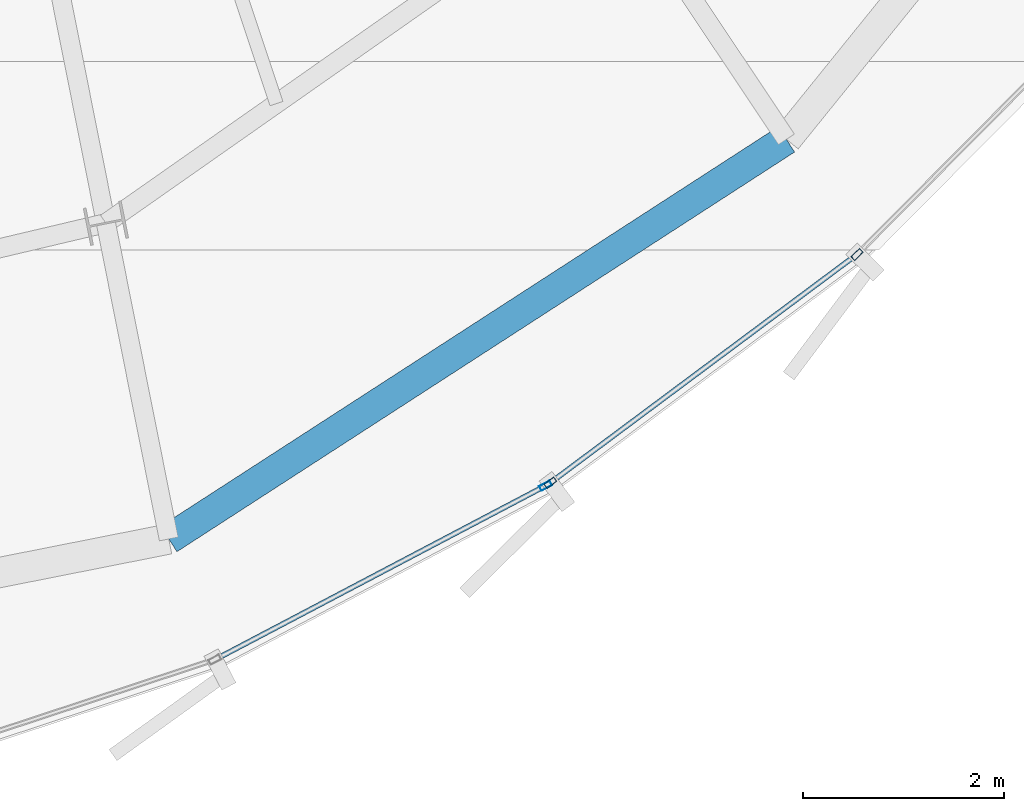
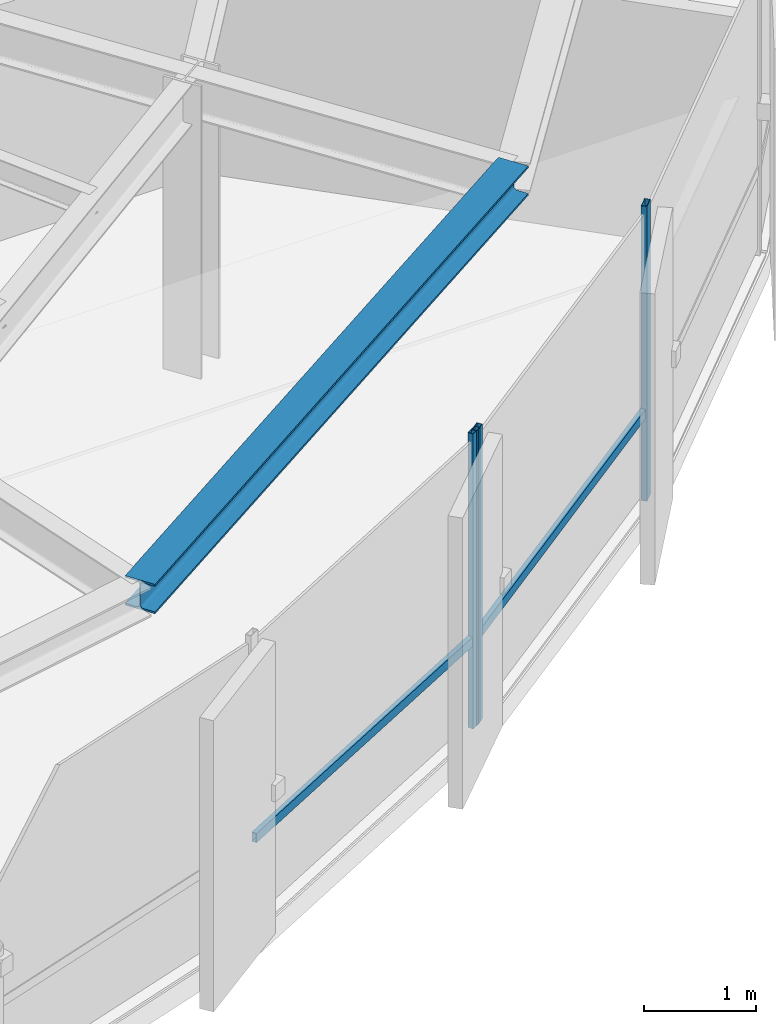
# One storey, part 7 of 33: 5 members, 1 beam, 2 elements without a shape of their own.
"""IFC4 building model written with IfcOpenShell, lengths in metres."""

import ifcopenshell
import ifcopenshell.guid

model = None  # the IFC model being written
_history = None  # IfcOwnerHistory: only IFC2X3 demands one
_inside = {}  # id of a spatial element -> (the spatial element, [elements in it])
_under = {}  # id of a project, library or spatial element -> (it, [spatial elements below it])
_declared = {}  # id of a project -> (the project, [libraries it declares])
_typed = {}  # id of a type object -> (the type object, [elements of that type])
_made_of = {}  # id of a material, layer set ... -> (it, [elements and type objects made of it])


def new_model(schema):
    """Start an empty IFC model of exactly this schema.

    Asked for "IFC4X3", IfcOpenShell would pick the latest addendum, in which some entities
    have other attributes; the version numbers below select the first issue.
    IFC2X3 requires an IfcOwnerHistory on every rooted entity: one is made here for all.
    """
    global model, _history
    if schema == "IFC4X3":
        model = ifcopenshell.file(schema_version=(4, 3, 0, 0))
    else:
        model = ifcopenshell.file(schema=schema)
    _inside.clear()
    _under.clear()
    _declared.clear()
    _typed.clear()
    _made_of.clear()
    _history = None
    if model.schema == "IFC2X3":
        org = make("IfcOrganization", Name="unknown")
        user = make(
            "IfcPersonAndOrganization",
            ThePerson=make("IfcPerson", FamilyName="unknown"),
            TheOrganization=org,
        )
        app = make(
            "IfcApplication",
            ApplicationDeveloper=org,
            Version="unknown",
            ApplicationFullName="unknown",
            ApplicationIdentifier="unknown",
        )
        _history = make(
            "IfcOwnerHistory",
            OwningUser=user,
            OwningApplication=app,
            ChangeAction="ADDED",
            CreationDate=0,
        )
    return model


def make(cls, **values):
    """One entity of the class cls with the attributes given. An attribute that is None is left unset."""
    return model.create_entity(
        cls, **{name: value for name, value in values.items() if value is not None}
    )


def rooted(cls, **values):
    """An entity with a GlobalId (a new one), such as an element, a storey or a relation."""
    return make(cls, GlobalId=ifcopenshell.guid.new(), OwnerHistory=_history, **values)


def si_unit(unit_type, name, prefix=None):
    """IfcSIUnit, for example si_unit("LENGTHUNIT", "METRE", prefix="MILLI")."""
    return make("IfcSIUnit", UnitType=unit_type, Prefix=prefix, Name=name)


def assignment(units):
    """IfcUnitAssignment: the units of a project."""
    return None if units is None else make("IfcUnitAssignment", Units=units)


def point(xyz):
    """IfcCartesianPoint."""
    return None if xyz is None else make("IfcCartesianPoint", Coordinates=xyz)


def direction(xyz):
    """IfcDirection."""
    return None if xyz is None else make("IfcDirection", DirectionRatios=xyz)


def frame(location, z_axis=None, x_axis=None):
    """IfcAxis2Placement3D, a coordinate frame: its origin and axes. An axis left out is left unset."""
    return make(
        "IfcAxis2Placement3D",
        Location=point(location),
        Axis=direction(z_axis),
        RefDirection=direction(x_axis),
    )


def frame_2d(location, x_axis=None):
    """IfcAxis2Placement2D, a coordinate frame in the plane: its origin and x axis."""
    return make(
        "IfcAxis2Placement2D", Location=point(location), RefDirection=direction(x_axis)
    )


def origin():
    """The frame at (0, 0, 0) with its axes left unset."""
    return frame((0.0, 0.0, 0.0))


def origin_2d():
    """The frame at (0, 0) in the plane with its x axis left unset."""
    return frame_2d((0.0, 0.0))


def place(relative_to, where):
    """IfcLocalPlacement: puts the frame where relative to a parent placement (None: the world)."""
    return make(
        "IfcLocalPlacement", PlacementRelTo=relative_to, RelativePlacement=where
    )


def context(
    kind, dimensions, precision=None, world=None, true_north=None, identifier=None
):
    """IfcGeometricRepresentationContext, for example the 3D "Model" context."""
    return make(
        "IfcGeometricRepresentationContext",
        ContextIdentifier=identifier,
        ContextType=kind,
        CoordinateSpaceDimension=dimensions,
        Precision=precision,
        WorldCoordinateSystem=world,
        TrueNorth=true_north,
    )


def subcontext(parent, identifier, kind, view, scale=None):
    """IfcGeometricRepresentationSubContext, for example "Body" below "Model"."""
    return make(
        "IfcGeometricRepresentationSubContext",
        ContextIdentifier=identifier,
        ContextType=kind,
        ParentContext=parent,
        TargetScale=scale,
        TargetView=view,
    )


def project(units=None, contexts=None):
    """IfcProject with its units and contexts."""
    return rooted(
        "IfcProject",
        Name="project",
        RepresentationContexts=contexts,
        UnitsInContext=assignment(units),
    )


def spatial(cls, under=None, at=None, **own):
    """A site, building, storey or space (cls), placed at a placement, below another one or the project."""
    s = rooted(cls, ObjectPlacement=at, **own)
    if under is not None:
        _under.setdefault(under.id(), (under, []))[1].append(s)
    return s


def profile(cls, at=None, kind="AREA", **sizes):
    """A parametric profile (cls). Its sizes go by their IFC names, for example OverallWidth=200.0."""
    return make(cls, ProfileType=kind, Position=at, **sizes)


def hollow_rectangle(**sizes):
    """IfcRectangleHollowProfileDef."""
    return profile("IfcRectangleHollowProfileDef", **sizes)


def i_section(**sizes):
    """IfcIShapeProfileDef."""
    return profile("IfcIShapeProfileDef", **sizes)


def extrude(swept, where, along, depth):
    """IfcExtrudedAreaSolid: the profile swept, set in the frame where, extruded along a direction by depth."""
    return make(
        "IfcExtrudedAreaSolid",
        SweptArea=swept,
        Position=where,
        ExtrudedDirection=direction(along),
        Depth=depth,
    )


def shape(context_of_items, identifier, shape_type, items):
    """IfcShapeRepresentation: the items that make up one representation, for example the "Body"."""
    return make(
        "IfcShapeRepresentation",
        ContextOfItems=context_of_items,
        RepresentationIdentifier=identifier,
        RepresentationType=shape_type,
        Items=items,
    )


def source(mapping_origin, context_of_items, identifier, shape_type, items):
    """IfcRepresentationMap: a shape defined once, which mapped items show again and again."""
    return make(
        "IfcRepresentationMap",
        MappingOrigin=mapping_origin,
        MappedRepresentation=shape(context_of_items, identifier, shape_type, items),
    )


def transform(
    local_origin,
    x_axis=None,
    y_axis=None,
    z_axis=None,
    scale=None,
    scale2=None,
    scale3=None,
    uniform=True,
):
    """IfcCartesianTransformationOperator3D, or its non-uniform kind. x_axis, y_axis, z_axis: its Axis1, 2, 3."""
    if uniform:
        return make(
            "IfcCartesianTransformationOperator3D",
            Axis1=direction(x_axis),
            Axis2=direction(y_axis),
            LocalOrigin=point(local_origin),
            Scale=scale,
            Axis3=direction(z_axis),
        )
    return make(
        "IfcCartesianTransformationOperator3DnonUniform",
        Axis1=direction(x_axis),
        Axis2=direction(y_axis),
        LocalOrigin=point(local_origin),
        Scale=scale,
        Axis3=direction(z_axis),
        Scale2=scale2,
        Scale3=scale3,
    )


def mapped(mapping_source, mapping_target):
    """IfcMappedItem: shows the shape of a source again, moved by a transform."""
    return make(
        "IfcMappedItem", MappingSource=mapping_source, MappingTarget=mapping_target
    )


def material(Name=None, Category=None):
    """IfcMaterial."""
    return make("IfcMaterial", Name=Name, Category=Category)


def layer(
    of_material, thickness, ventilated=None, Name=None, Category=None, Priority=None
):
    """IfcMaterialLayer: one layer of a wall or slab, of a material (None: an air gap)."""
    return make(
        "IfcMaterialLayer",
        Material=of_material,
        LayerThickness=thickness,
        IsVentilated=ventilated,
        Name=Name,
        Category=Category,
        Priority=Priority,
    )


def layer_set(layers, Name=None):
    """IfcMaterialLayerSet."""
    return make("IfcMaterialLayerSet", MaterialLayers=layers, LayerSetName=Name)


def material_profile(
    of_material, cross_section, Name=None, Category=None, Priority=None
):
    """IfcMaterialProfile: a cross section and its material."""
    return make(
        "IfcMaterialProfile",
        Name=Name,
        Material=of_material,
        Profile=cross_section,
        Priority=Priority,
        Category=Category,
    )


def profile_set(profiles, Name=None, composite=None):
    """IfcMaterialProfileSet."""
    return make(
        "IfcMaterialProfileSet",
        Name=Name,
        MaterialProfiles=profiles,
        CompositeProfile=composite,
    )


def made_of(thing, what):
    """Note that an element or type object is made of a material, layer set ...; save() writes the relation."""
    if what is not None:
        _made_of.setdefault(what.id(), (what, []))[1].append(thing)
    return thing


def type_object(cls, material=None, **own):
    """A type object (cls), such as IfcWallType, which elements share."""
    return made_of(rooted(cls, **own), material)


def element(
    cls,
    number,
    at=None,
    inside=None,
    cuts=None,
    type_object=None,
    material=None,
    context=None,
    identifier="Body",
    shape_type=None,
    held_by="IfcProductDefinitionShape",
    body=None,
    shapes=None,
    **own,
):
    """One element of the class cls, such as IfcWall. Its Tag is "e" and its number.

    at: its placement. inside: the storey or other place that contains it. cuts: it is an
    opening in that element (IfcRelVoidsElement). A single representation is given by context,
    identifier, shape_type and body (its items); several are given by shapes. held_by: the class
    of the entity that holds the representations. save() writes the other relations.
    """
    e = rooted(cls, Tag="e%d" % number, ObjectPlacement=at, **own)
    if body is not None:
        shapes = [shape(context, identifier, shape_type, body)]
    if shapes is not None:
        e.Representation = make(held_by, Representations=shapes)
    if inside is not None:
        _inside.setdefault(inside.id(), (inside, []))[1].append(e)
    if cuts is not None:
        rooted(
            "IfcRelVoidsElement", RelatingBuildingElement=cuts, RelatedOpeningElement=e
        )
    if type_object is not None:
        _typed.setdefault(type_object.id(), (type_object, []))[1].append(e)
    return made_of(e, material)


def aggregate(whole, parts):
    """IfcRelAggregates: a whole, such as a stair, and the parts it consists of."""
    return rooted("IfcRelAggregates", RelatingObject=whole, RelatedObjects=parts)


def save(model, path):
    """Write the relations noted so far, then the file.

    IfcRelAggregates (storeys below a building ...), IfcRelContainedInSpatialStructure (elements
    in a storey), IfcRelDefinesByType, IfcRelAssociatesMaterial and IfcRelDeclares: one each for
    every whole, place, type object, material and project.
    """
    for whole, parts in _under.values():
        aggregate(whole, parts)
    for where, things in _inside.values():
        rooted(
            "IfcRelContainedInSpatialStructure",
            RelatedElements=things,
            RelatingStructure=where,
        )
    for kind, things in _typed.values():
        rooted("IfcRelDefinesByType", RelatedObjects=things, RelatingType=kind)
    for what, things in _made_of.values():
        rooted("IfcRelAssociatesMaterial", RelatedObjects=things, RelatingMaterial=what)
    for by, libraries in _declared.values():
        rooted("IfcRelDeclares", RelatingContext=by, RelatedDefinitions=libraries)
    model.write(path)


model = new_model("IFC4")

# Units and contexts
model_context = context("Model", 3, precision=1e-05, world=origin(), true_north=direction((0.0, 1.0)))
body_context = subcontext(model_context, "Body", "Model", "MODEL_VIEW")
ifc_project = project(units=[si_unit("LENGTHUNIT", "METRE"), si_unit("AREAUNIT", "SQUARE_METRE"), si_unit("VOLUMEUNIT", "CUBIC_METRE"), si_unit("PLANEANGLEUNIT", "RADIAN"), si_unit("MASSUNIT", "GRAM", prefix="KILO"), si_unit("THERMODYNAMICTEMPERATUREUNIT", "KELVIN")], contexts=[model_context])

# Site, building, storey
site_placement = place(None, origin())
site = spatial("IfcSite", under=ifc_project, at=site_placement, CompositionType="ELEMENT")
building_placement = place(site_placement, origin())
building = spatial("IfcBuilding", under=site, at=building_placement, Name="Kethvar Cultural Tower", CompositionType="ELEMENT")
storey_placement = place(building_placement, frame((0.0, 0.0, 266.35009765625)))
storey = spatial("IfcBuildingStorey", under=building, at=storey_placement, Name="L70", CompositionType="ELEMENT", Elevation=266.35009765625)

# Beam
ifc_material_1 = material(Name="Steel S355J2", Category="steel")
ifc_material_profile_1 = material_profile(ifc_material_1, i_section(OverallWidth=0.300048828125, OverallDepth=0.320068359375, WebThickness=0.011474609375, FlangeThickness=0.0205078125, FilletRadius=0.027099609375, at=origin_2d()), Name="Steel S355J2 — HEB320")
ifc_profile_set_1 = profile_set([ifc_material_profile_1], Name="Steel S355J2 — HEB320")
beam_type = type_object("IfcBeamType", Name="BM-SP320", PredefinedType="SPANDREL", material=ifc_profile_set_1)
shared_shape_1 = source(origin(), body_context, "Body", "SweptSolid", [
    extrude(i_section(OverallWidth=0.300048828125, OverallDepth=0.320068359375, WebThickness=0.011474609375, FlangeThickness=0.0205078125, FilletRadius=0.027099609375, at=origin_2d()), origin(), (0.0, 0.0, 1.0), 7.309326171875),
])
beam_placement = place(storey_placement, frame((50.52587890625, 9.068359375, 3.0478515625), z_axis=(0.839562091992, 0.543263742292, 0.0), x_axis=(-0.543263742292, 0.839562091992, 0.0)))
element("IfcBeam", 1, at=beam_placement, inside=storey, type_object=beam_type, Name="L70 Perimeter Spandrel Beam SP-13", PredefinedType="SPANDREL", context=body_context, shape_type="MappedRepresentation", body=[
    mapped(shared_shape_1, transform((0.0, 0.0, 0.0), scale=1.0)),
])

# Curtain wall, member
ifc_material_2 = material(Name="Aluminium 6063-T6", Category="aluminium")
ifc_layer = layer(ifc_material_2, 0.179931640625, Name="Aluminium 6063-T6", Category="aluminium")
ifc_layer_set = layer_set([ifc_layer], Name="Aluminium 6063-T6 (180 mm)")
curtain_wall_type = type_object("IfcCurtainWallType", Name="CW-SYS-05-Z56", PredefinedType="NOTDEFINED", material=ifc_layer_set)
curtain_wall_1_placement = place(storey_placement, origin())
curtain_wall_1 = element("IfcCurtainWall", 2, at=curtain_wall_1_placement, inside=storey, type_object=curtain_wall_type, Name="L70 Curtain Wall Run 04", PredefinedType="NOTDEFINED")
ifc_material_profile_2 = material_profile(ifc_material_2, hollow_rectangle(XDim=0.054931640625, YDim=0.1201171875, WallThickness=0.00390625, at=origin_2d()), Name="Aluminium 6063-T6 — RHS120x55x4")
ifc_profile_set_2 = profile_set([ifc_material_profile_2], Name="Aluminium 6063-T6 — RHS120x55x4")
member_type_1 = type_object("IfcMemberType", Name="CW-SYS-05-Z56-MUL", PredefinedType="MULLION", material=ifc_profile_set_2)
shared_shape_2 = source(origin(), body_context, "Body", "SweptSolid", [
    extrude(hollow_rectangle(XDim=0.054931640625, YDim=0.1201171875, WallThickness=0.00390625, at=origin_2d()), origin(), (0.0, 0.0, 1.0), 3.2099609375),
])
member_1_placement = place(storey_placement, frame((54.27001953125, 9.597900390625, 0.0), z_axis=(0.0, 0.0, 1.0), x_axis=(-0.465521842084, 0.885036391649, 0.0)))
member_1 = element("IfcMember", 3, at=member_1_placement, type_object=member_type_1, Name="CW-L70-R04 Mullion 7", PredefinedType="MULLION", context=body_context, shape_type="MappedRepresentation", body=[
    mapped(shared_shape_2, transform((0.0, 0.0, 0.0), scale=1.0)),
])

# Curtain wall, members
curtain_wall_2_placement = place(storey_placement, origin())
curtain_wall_2 = element("IfcCurtainWall", 4, at=curtain_wall_2_placement, inside=storey, type_object=curtain_wall_type, Name="L70 Curtain Wall Run 05", PredefinedType="NOTDEFINED")
member_2_placement = place(storey_placement, frame((54.317138671875, 9.627685546875, 0.0), z_axis=(0.0, 0.0, 1.0), x_axis=(-0.597331240719, 0.801994631442, 0.0)))
member_2 = element("IfcMember", 5, at=member_2_placement, type_object=member_type_1, Name="CW-L70-R05 Mullion 1", PredefinedType="MULLION", context=body_context, shape_type="MappedRepresentation", body=[
    mapped(shared_shape_2, transform((0.0, 0.0, 0.0), scale=1.0)),
])
member_3_placement = place(storey_placement, frame((57.36572265625, 11.896728515625, 0.0), z_axis=(0.0, 0.0, 1.0), x_axis=(-0.709718299217, 0.704485582363, 0.0)))
member_3 = element("IfcMember", 6, at=member_3_placement, type_object=member_type_1, Name="CW-L70-R05 Mullion 2", PredefinedType="MULLION", context=body_context, shape_type="MappedRepresentation", body=[
    mapped(shared_shape_2, transform((0.0, 0.0, 0.0), scale=1.0)),
])
ifc_material_profile_3 = material_profile(ifc_material_2, hollow_rectangle(XDim=0.050048828125, YDim=0.10009765625, WallThickness=0.00390625, at=origin_2d()), Name="Aluminium 6063-T6 — RHS100x50x4")
ifc_profile_set_3 = profile_set([ifc_material_profile_3], Name="Aluminium 6063-T6 — RHS100x50x4")
member_type_2 = type_object("IfcMemberType", Name="CW-SYS-05-Z56-TRN", PredefinedType="USERDEFINED", material=ifc_profile_set_3)
shared_shape_3 = source(origin(), body_context, "Body", "SweptSolid", [
    extrude(hollow_rectangle(XDim=0.050048828125, YDim=0.10009765625, WallThickness=0.00390625, at=origin_2d()), origin(), (0.0, 0.0, 1.0), 3.771728515625),
])
member_4_placement = place(storey_placement, frame((54.3203125, 9.6298828125, 0.949951171875), z_axis=(0.801999565593, 0.597324615924, 0.0), x_axis=(-0.597324615924, 0.801999565593, 0.0)))
member_4 = element("IfcMember", 7, at=member_4_placement, type_object=member_type_2, Name="CW-L70-R05 Transom 1", ObjectType="TRANSOM", PredefinedType="USERDEFINED", context=body_context, shape_type="MappedRepresentation", body=[
    mapped(shared_shape_3, transform((0.0, 0.0, 0.0), scale=1.0)),
])
aggregate(curtain_wall_2, [member_2, member_3, member_4])

# Member
shared_shape_4 = source(origin(), body_context, "Body", "SweptSolid", [
    extrude(hollow_rectangle(XDim=0.050048828125, YDim=0.10009765625, WallThickness=0.00390625, at=origin_2d()), origin(), (0.0, 0.0, 1.0), 3.66943359375),
])
member_5_placement = place(storey_placement, frame((51.01904296875, 7.8876953125, 0.949951171875), z_axis=(0.885001913656, 0.465587384736, 0.0), x_axis=(-0.465587384736, 0.885001913656, 0.0)))
member_5 = element("IfcMember", 8, at=member_5_placement, type_object=member_type_2, Name="CW-L70-R04 Transom 6", ObjectType="TRANSOM", PredefinedType="USERDEFINED", context=body_context, shape_type="MappedRepresentation", body=[
    mapped(shared_shape_4, transform((0.0, 0.0, 0.0), scale=1.0)),
])

aggregate(curtain_wall_1, [member_1, member_5])

save(model, "model.ifc")
